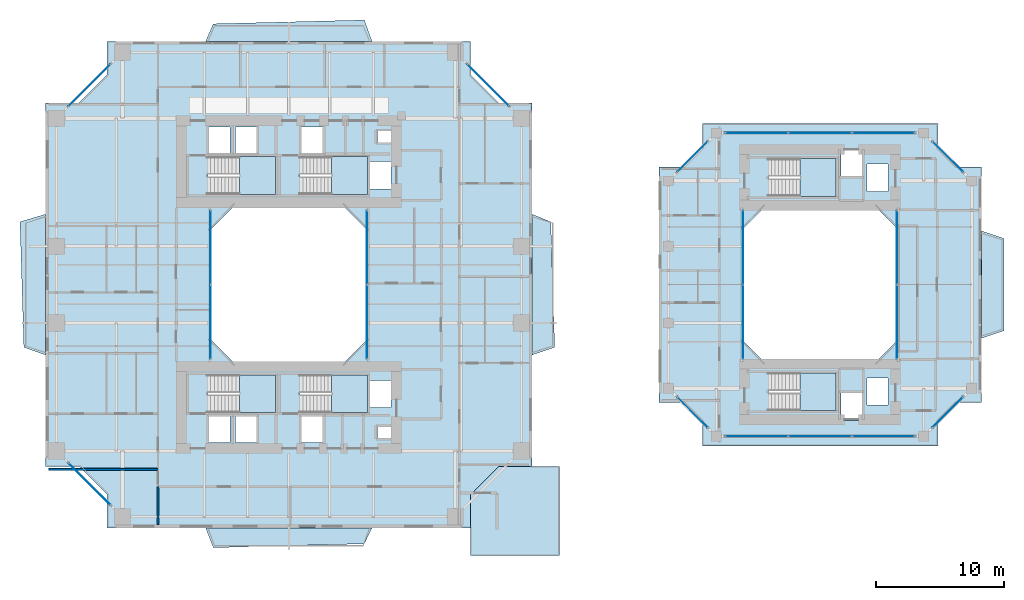
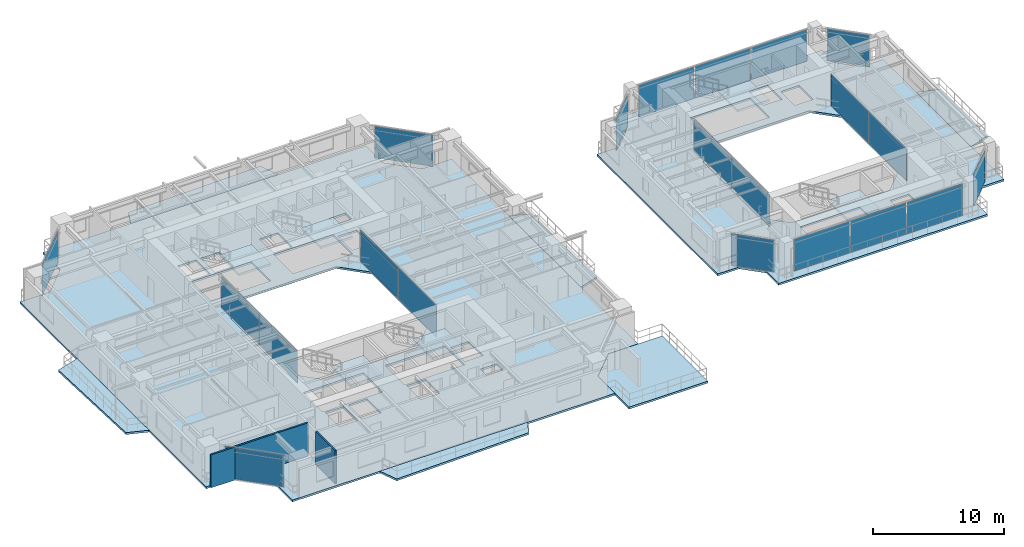
# One storey, part 12 of 23: 21 plates, 14 slabs, 2 walls, 19 elements without a shape of their own.
"""IFC4 building model written with IfcOpenShell, lengths in metres."""

from ifc_helpers import new_model, si_unit, direction, frame, frame_2d, origin, origin_2d, place, context, subcontext, project, spatial, polyline, rectangle, outline, extrude, source, transform, mapped, material, layer, layer_set, type_object, element, aggregate, save


model = new_model("IFC4")

# Units and contexts
model_context = context("Model", 3, precision=1e-05, world=origin(), true_north=direction((0.0, 1.0)))
body_context = subcontext(model_context, "Body", "Model", "MODEL_VIEW")
ifc_project = project(units=[si_unit("LENGTHUNIT", "METRE"), si_unit("AREAUNIT", "SQUARE_METRE"), si_unit("VOLUMEUNIT", "CUBIC_METRE"), si_unit("PLANEANGLEUNIT", "RADIAN"), si_unit("MASSUNIT", "GRAM", prefix="KILO"), si_unit("THERMODYNAMICTEMPERATUREUNIT", "KELVIN"), si_unit("POWERUNIT", "WATT")], contexts=[model_context])

# Site, building, storey
site_placement = place(None, origin())
site = spatial("IfcSite", under=ifc_project, at=site_placement, CompositionType="ELEMENT")
building_placement = place(site_placement, origin())
building = spatial("IfcBuilding", under=site, at=building_placement, Name="Qiaomeng Ring Towers", CompositionType="ELEMENT")
storey_placement = place(building_placement, frame((0.0, 0.0, 73.0)))
storey = spatial("IfcBuildingStorey", under=building, at=storey_placement, Name="L20", CompositionType="ELEMENT", Elevation=73.0)

# Slabs
ifc_material_1 = material(Name="Concrete C40", Category="concrete")
ifc_layer_1 = layer(ifc_material_1, 0.179931640625, Name="Concrete C40")
ifc_layer_set_1 = layer_set([ifc_layer_1], Name="Concrete C40")
slab_type_1 = type_object("IfcSlabType", Name="STR-SL-180", PredefinedType="FLOOR", material=ifc_layer_set_1)
slab_1_placement = place(storey_placement, frame((0.0, 0.0, -0.179931640625)))
element("IfcSlab", 1, at=slab_1_placement, inside=storey, type_object=slab_type_1, Name="L20 Tower 1 Annular Floor Slab", PredefinedType="FLOOR", context=body_context, shape_type="SweptSolid", body=[
    extrude(outline(polyline([(4.800048828125, 4.0), (33.199951171875, 4.0), (33.199951171875, 6.60009765625), (35.39990234375, 8.800048828125), (38.0, 8.800048828125), (38.0, 37.199951171875), (35.39990234375, 37.199951171875), (33.199951171875, 39.39990234375), (33.199951171875, 42.0), (4.800048828125, 42.0), (4.800048828125, 39.39990234375), (2.60009765625, 37.199951171875), (0.0, 37.199951171875), (0.0, 8.800048828125), (2.60009765625, 8.800048828125), (4.800048828125, 6.60009765625), (4.800048828125, 4.0)]), holes=[polyline([(12.780029296875, 10.679931640625), (12.780029296875, 12.820068359375), (14.419921875, 12.820068359375), (14.419921875, 10.679931640625), (12.780029296875, 10.679931640625)]), polyline([(14.830078125, 12.820068359375), (16.469970703125, 12.820068359375), (16.469970703125, 10.679931640625), (14.830078125, 10.679931640625), (14.830078125, 12.820068359375)]), polyline([(12.679931640625, 15.949951171875), (17.949951171875, 15.949951171875), (17.949951171875, 13.010009765625), (12.679931640625, 13.010009765625), (12.679931640625, 15.949951171875)]), polyline([(25.199951171875, 27.199951171875), (25.199951171875, 18.800048828125), (23.199951171875, 16.800048828125), (14.800048828125, 16.800048828125), (12.800048828125, 18.800048828125), (12.800048828125, 27.199951171875), (14.800048828125, 29.199951171875), (23.199951171875, 29.199951171875), (25.199951171875, 27.199951171875)]), polyline([(12.679931640625, 32.989990234375), (17.949951171875, 32.989990234375), (17.949951171875, 30.050048828125), (12.679931640625, 30.050048828125), (12.679931640625, 32.989990234375)]), polyline([(12.780029296875, 35.320068359375), (14.419921875, 35.320068359375), (14.419921875, 33.179931640625), (12.780029296875, 33.179931640625), (12.780029296875, 35.320068359375)]), polyline([(14.830078125, 35.320068359375), (16.469970703125, 35.320068359375), (16.469970703125, 33.179931640625), (14.830078125, 33.179931640625), (14.830078125, 35.320068359375)]), polyline([(19.97998046875, 35.320068359375), (21.6201171875, 35.320068359375), (21.6201171875, 33.179931640625), (19.97998046875, 33.179931640625), (19.97998046875, 35.320068359375)]), polyline([(25.919921875, 11.89990234375), (27.360107421875, 11.89990234375), (27.360107421875, 11.0), (25.919921875, 11.0), (25.919921875, 11.89990234375)]), polyline([(19.97998046875, 12.820068359375), (21.6201171875, 12.820068359375), (21.6201171875, 10.679931640625), (19.97998046875, 10.679931640625), (19.97998046875, 12.820068359375)]), polyline([(25.360107421875, 15.52001953125), (27.0, 15.52001953125), (27.0, 13.3798828125), (25.360107421875, 13.3798828125), (25.360107421875, 15.52001953125)]), polyline([(19.8798828125, 15.949951171875), (25.14990234375, 15.949951171875), (25.14990234375, 13.010009765625), (19.8798828125, 13.010009765625), (19.8798828125, 15.949951171875)]), polyline([(19.8798828125, 32.989990234375), (25.14990234375, 32.989990234375), (25.14990234375, 30.050048828125), (19.8798828125, 30.050048828125), (19.8798828125, 32.989990234375)]), polyline([(25.360107421875, 32.6201171875), (27.0, 32.6201171875), (27.0, 30.47998046875), (25.360107421875, 30.47998046875), (25.360107421875, 32.6201171875)]), polyline([(25.919921875, 35.0), (27.360107421875, 35.0), (27.360107421875, 34.10009765625), (25.919921875, 34.10009765625), (25.919921875, 35.0)])]), origin(), (0.0, 0.0, 1.0), 0.179931640625),
])
slab_2_placement = place(storey_placement, frame((0.0, 0.0, -0.179931640625)))
element("IfcSlab", 2, at=slab_2_placement, inside=storey, type_object=slab_type_1, Name="L20 Companion Tower 2 Annular Floor Slab", PredefinedType="FLOOR", context=body_context, shape_type="SweptSolid", body=[
    extrude(outline(polyline([(51.300048828125, 10.39990234375), (69.699951171875, 10.39990234375), (69.699951171875, 12.300048828125), (71.199951171875, 13.800048828125), (73.10009765625, 13.800048828125), (73.10009765625, 32.199951171875), (71.199951171875, 32.199951171875), (69.699951171875, 33.699951171875), (69.699951171875, 35.60009765625), (51.300048828125, 35.60009765625), (51.300048828125, 33.699951171875), (49.800048828125, 32.199951171875), (47.89990234375, 32.199951171875), (47.89990234375, 13.800048828125), (49.800048828125, 13.800048828125), (51.300048828125, 12.300048828125), (51.300048828125, 10.39990234375)]), holes=[polyline([(62.1298828125, 12.3798828125), (62.1298828125, 14.52001953125), (63.77001953125, 14.52001953125), (63.77001953125, 12.3798828125), (62.1298828125, 12.3798828125)]), polyline([(56.47998046875, 13.159912109375), (56.47998046875, 16.10009765625), (61.75, 16.10009765625), (61.75, 13.159912109375), (56.47998046875, 13.159912109375)]), polyline([(64.179931640625, 13.580078125), (64.179931640625, 15.719970703125), (65.820068359375, 15.719970703125), (65.820068359375, 13.580078125), (64.179931640625, 13.580078125)]), polyline([(64.800048828125, 29.10009765625), (66.60009765625, 27.300048828125), (66.60009765625, 18.699951171875), (64.800048828125, 16.89990234375), (56.199951171875, 16.89990234375), (54.39990234375, 18.699951171875), (54.39990234375, 27.300048828125), (56.199951171875, 29.10009765625), (64.800048828125, 29.10009765625)]), polyline([(64.179931640625, 30.280029296875), (64.179931640625, 32.419921875), (65.820068359375, 32.419921875), (65.820068359375, 30.280029296875), (64.179931640625, 30.280029296875)]), polyline([(56.47998046875, 32.840087890625), (61.75, 32.840087890625), (61.75, 29.89990234375), (56.47998046875, 29.89990234375), (56.47998046875, 32.840087890625)]), polyline([(62.1298828125, 33.6201171875), (63.77001953125, 33.6201171875), (63.77001953125, 31.47998046875), (62.1298828125, 31.47998046875), (62.1298828125, 33.6201171875)])]), origin(), (0.0, 0.0, 1.0), 0.179931640625),
])
ifc_layer_2 = layer(ifc_material_1, 0.179931640625, Name="Concrete C40")
ifc_layer_set_2 = layer_set([ifc_layer_2], Name="Concrete C40")
slab_type_2 = type_object("IfcSlabType", Name="STR-SL-BAL", PredefinedType="FLOOR", material=ifc_layer_set_2)
slab_3_placement = place(storey_placement, frame((0.0, 0.0, -0.179931640625)))
element("IfcSlab", 3, at=slab_3_placement, inside=storey, type_object=slab_type_2, Name="L20 Tower 1 S Faceted Balcony Slab", PredefinedType="FLOOR", context=body_context, shape_type="SweptSolid", body=[
    extrude(outline(polyline([(24.89990234375, 2.75), (13.10009765625, 2.449951171875), (12.5, 4.0), (25.5, 4.0), (24.89990234375, 2.75)])), origin(), (0.0, 0.0, 1.0), 0.179931640625),
])
slab_4_placement = place(storey_placement, frame((0.0, 0.0, -0.179931640625)))
element("IfcSlab", 4, at=slab_4_placement, inside=storey, type_object=slab_type_2, Name="L20 Tower 1 E Faceted Balcony Slab", PredefinedType="FLOOR", context=body_context, shape_type="SweptSolid", body=[
    extrude(outline(polyline([(39.469970703125, 27.89990234375), (39.77001953125, 18.10009765625), (38.0, 17.5), (38.0, 28.5), (39.469970703125, 27.89990234375)])), origin(), (0.0, 0.0, 1.0), 0.179931640625),
])
slab_5_placement = place(storey_placement, frame((0.0, 0.0, -0.179931640625)))
element("IfcSlab", 5, at=slab_5_placement, inside=storey, type_object=slab_type_2, Name="L20 Tower 1 N Faceted Balcony Slab", PredefinedType="FLOOR", context=body_context, shape_type="SweptSolid", body=[
    extrude(outline(polyline([(12.5, 42.0), (13.10009765625, 43.3701171875), (24.89990234375, 43.669921875), (25.5, 42.0), (12.5, 42.0)])), origin(), (0.0, 0.0, 1.0), 0.179931640625),
])
slab_6_placement = place(storey_placement, frame((0.0, 0.0, -0.179931640625)))
element("IfcSlab", 6, at=slab_6_placement, inside=storey, type_object=slab_type_2, Name="L20 Tower 1 W Faceted Balcony Slab", PredefinedType="FLOOR", context=body_context, shape_type="SweptSolid", body=[
    extrude(outline(polyline([(0.0, 17.5), (-1.699951171875, 18.10009765625), (-2.0, 27.89990234375), (0.0, 28.5), (0.0, 17.5)])), origin(), (0.0, 0.0, 1.0), 0.179931640625),
])
slab_7_placement = place(storey_placement, frame((0.0, 0.0, -0.179931640625)))
element("IfcSlab", 7, at=slab_7_placement, inside=storey, type_object=slab_type_2, Name="L20 Companion East Faceted Balcony Slab", PredefinedType="FLOOR", context=body_context, shape_type="SweptSolid", body=[
    extrude(outline(polyline([(74.8701171875, 26.60009765625), (74.8701171875, 19.39990234375), (73.10009765625, 18.800048828125), (73.10009765625, 27.199951171875), (74.8701171875, 26.60009765625)])), origin(), (0.0, 0.0, 1.0), 0.179931640625),
])

# Stair, slab
ifc_material_2 = material(Name="Precast concrete C40", Category="concrete")
stair_type = type_object("IfcStairType", Name="ARC-ST-325", PredefinedType="HALF_TURN_STAIR", material=ifc_material_2)
stair_1_placement = place(storey_placement, origin())
stair_1 = element("IfcStair", 8, at=stair_1_placement, inside=storey, type_object=stair_type, Name="L20 Tower 1 North Stair 1", PredefinedType="HALF_TURN_STAIR")
ifc_layer_3 = layer(ifc_material_1, 0.199951171875, Name="Concrete C40")
ifc_layer_set_3 = layer_set([ifc_layer_3], Name="Concrete C40")
slab_type_3 = type_object("IfcSlabType", Name="STR-SL-LANDING", PredefinedType="LANDING", material=ifc_layer_set_3)
slab_8_placement = place(storey_placement, frame((0.0, 0.0, 1.425048828125)))
slab_8 = element("IfcSlab", 9, at=slab_8_placement, type_object=slab_type_3, Name="ST1 landing 1", PredefinedType="LANDING", context=body_context, shape_type="SweptSolid", body=[
    extrude(outline(polyline([(15.139892578125, 30.050048828125), (17.949951171875, 30.050048828125), (17.949951171875, 32.989990234375), (15.139892578125, 32.989990234375), (15.139892578125, 30.050048828125)])), origin(), (0.0, 0.0, 1.0), 0.199951171875),
])
aggregate(stair_1, [slab_8])

stair_2_placement = place(storey_placement, origin())
stair_2 = element("IfcStair", 10, at=stair_2_placement, inside=storey, type_object=stair_type, Name="L20 Tower 1 North Stair 2", PredefinedType="HALF_TURN_STAIR")
slab_9_placement = place(storey_placement, frame((0.0, 0.0, 1.425048828125)))
slab_9 = element("IfcSlab", 11, at=slab_9_placement, type_object=slab_type_3, Name="ST2 landing 1", PredefinedType="LANDING", context=body_context, shape_type="SweptSolid", body=[
    extrude(outline(polyline([(22.340087890625, 30.050048828125), (25.14990234375, 30.050048828125), (25.14990234375, 32.989990234375), (22.340087890625, 32.989990234375), (22.340087890625, 30.050048828125)])), origin(), (0.0, 0.0, 1.0), 0.199951171875),
])
aggregate(stair_2, [slab_9])

stair_3_placement = place(storey_placement, origin())
stair_3 = element("IfcStair", 12, at=stair_3_placement, inside=storey, type_object=stair_type, Name="L20 Tower 1 South Stair 3", PredefinedType="HALF_TURN_STAIR")
slab_10_placement = place(storey_placement, frame((0.0, 0.0, 1.425048828125)))
slab_10 = element("IfcSlab", 13, at=slab_10_placement, type_object=slab_type_3, Name="ST3 landing 1", PredefinedType="LANDING", context=body_context, shape_type="SweptSolid", body=[
    extrude(outline(polyline([(15.139892578125, 13.010009765625), (17.949951171875, 13.010009765625), (17.949951171875, 15.949951171875), (15.139892578125, 15.949951171875), (15.139892578125, 13.010009765625)])), origin(), (0.0, 0.0, 1.0), 0.199951171875),
])
aggregate(stair_3, [slab_10])

stair_4_placement = place(storey_placement, origin())
stair_4 = element("IfcStair", 14, at=stair_4_placement, inside=storey, type_object=stair_type, Name="L20 Tower 1 South Stair 4", PredefinedType="HALF_TURN_STAIR")
slab_11_placement = place(storey_placement, frame((0.0, 0.0, 1.425048828125)))
slab_11 = element("IfcSlab", 15, at=slab_11_placement, type_object=slab_type_3, Name="ST4 landing 1", PredefinedType="LANDING", context=body_context, shape_type="SweptSolid", body=[
    extrude(outline(polyline([(22.340087890625, 13.010009765625), (25.14990234375, 13.010009765625), (25.14990234375, 15.949951171875), (22.340087890625, 15.949951171875), (22.340087890625, 13.010009765625)])), origin(), (0.0, 0.0, 1.0), 0.199951171875),
])
aggregate(stair_4, [slab_11])

stair_5_placement = place(storey_placement, origin())
stair_5 = element("IfcStair", 16, at=stair_5_placement, inside=storey, type_object=stair_type, Name="L20 Companion North Stair 5", PredefinedType="HALF_TURN_STAIR")
slab_12_placement = place(storey_placement, frame((0.0, 0.0, 1.425048828125)))
slab_12 = element("IfcSlab", 17, at=slab_12_placement, type_object=slab_type_3, Name="ST5 landing 1", PredefinedType="LANDING", context=body_context, shape_type="SweptSolid", body=[
    extrude(outline(polyline([(58.93994140625, 29.89990234375), (61.75, 29.89990234375), (61.75, 32.840087890625), (58.93994140625, 32.840087890625), (58.93994140625, 29.89990234375)])), origin(), (0.0, 0.0, 1.0), 0.199951171875),
])
aggregate(stair_5, [slab_12])

stair_6_placement = place(storey_placement, origin())
stair_6 = element("IfcStair", 18, at=stair_6_placement, inside=storey, type_object=stair_type, Name="L20 Companion South Stair 6", PredefinedType="HALF_TURN_STAIR")
slab_13_placement = place(storey_placement, frame((0.0, 0.0, 1.425048828125)))
slab_13 = element("IfcSlab", 19, at=slab_13_placement, type_object=slab_type_3, Name="ST6 landing 1", PredefinedType="LANDING", context=body_context, shape_type="SweptSolid", body=[
    extrude(outline(polyline([(58.93994140625, 13.159912109375), (61.75, 13.159912109375), (61.75, 16.10009765625), (58.93994140625, 16.10009765625), (58.93994140625, 13.159912109375)])), origin(), (0.0, 0.0, 1.0), 0.199951171875),
])
aggregate(stair_6, [slab_13])

# Slab
ifc_layer_4 = layer(ifc_material_1, 0.179931640625, Name="Concrete C40")
ifc_layer_set_4 = layer_set([ifc_layer_4], Name="Concrete C40")
slab_type_4 = type_object("IfcSlabType", Name="STR-SL-TERR180", PredefinedType="FLOOR", material=ifc_layer_set_4)
slab_14_placement = place(storey_placement, frame((0.0, 0.0, -0.179931640625)))
element("IfcSlab", 20, at=slab_14_placement, inside=storey, type_object=slab_type_4, Name="L20 Spiralling Corner Sky Terrace SE", PredefinedType="FLOOR", context=body_context, shape_type="SweptSolid", body=[
    extrude(outline(polyline([(40.14990234375, 8.800048828125), (40.14990234375, 1.85009765625), (33.199951171875, 1.85009765625), (33.199951171875, 4.0), (33.199951171875, 6.60009765625), (35.39990234375, 8.800048828125), (38.0, 8.800048828125), (40.14990234375, 8.800048828125)])), origin(), (0.0, 0.0, 1.0), 0.179931640625),
])

# Curtain wall, plates
ifc_material_3 = material(Name="Fluorocarbon dark-grey aluminium", Category="aluminium")
ifc_layer_5 = layer(ifc_material_3, 0.139892578125, Name="Fluorocarbon dark-grey aluminium")
ifc_layer_set_5 = layer_set([ifc_layer_5], Name="Fluorocarbon dark-grey aluminium")
curtain_wall_type_1 = type_object("IfcCurtainWallType", Name="ARC-CW-4", PredefinedType="NOTDEFINED", material=ifc_layer_set_5)
curtain_wall_1_placement = place(storey_placement, origin())
curtain_wall_1 = element("IfcCurtainWall", 21, at=curtain_wall_1_placement, inside=storey, type_object=curtain_wall_type_1, Name="L20 Curtain Wall CW4", PredefinedType="NOTDEFINED")
ifc_material_4 = material(Name="Low-E dark-grey laminated double glazing", Category="glass")
ifc_layer_6 = layer(ifc_material_4, 0.028076171875, Name="Low-E dark-grey laminated double glazing")
ifc_layer_set_6 = layer_set([ifc_layer_6], Name="Low-E dark-grey laminated double glazing")
plate_type = type_object("IfcPlateType", Name="ARC-CWP-DARK", PredefinedType="CURTAIN_PANEL", material=ifc_layer_set_6)
shared_shape_1 = source(origin(), body_context, "Body", "SweptSolid", [
    extrude(rectangle(XDim=5.75244140625, YDim=0.028076171875, at=origin_2d()), origin(), (0.0, 0.0, 1.0), 2.93994140625),
])
plate_1_placement = place(storey_placement, frame((12.8798828125, 20.09130859375, 0.06494140625), z_axis=(0.0, 0.0, 1.0), x_axis=(0.0, 1.0, 0.0)))
plate_1 = element("IfcPlate", 22, at=plate_1_placement, type_object=plate_type, Name="CW4 panel 1.1", PredefinedType="CURTAIN_PANEL", context=body_context, shape_type="MappedRepresentation", body=[
    mapped(shared_shape_1, transform((0.0, 0.0, 0.0), x_axis=(1.0, 0.0, 0.0), y_axis=(0.0, 1.0, 0.0), z_axis=(0.0, 0.0, 1.0), scale=1.0)),
])
plate_2_placement = place(storey_placement, frame((12.8798828125, 25.90869140625, 0.06494140625), z_axis=(0.0, 0.0, 1.0), x_axis=(0.0, 1.0, 0.0)))
plate_2 = element("IfcPlate", 23, at=plate_2_placement, type_object=plate_type, Name="CW4 panel 2.1", PredefinedType="CURTAIN_PANEL", context=body_context, shape_type="MappedRepresentation", body=[
    mapped(shared_shape_1, transform((0.0, 0.0, 0.0), x_axis=(1.0, 0.0, 0.0), y_axis=(0.0, 1.0, 0.0), z_axis=(0.0, 0.0, 1.0), scale=1.0)),
])
aggregate(curtain_wall_1, [plate_1, plate_2])

curtain_wall_2_placement = place(storey_placement, origin())
curtain_wall_2 = element("IfcCurtainWall", 24, at=curtain_wall_2_placement, inside=storey, type_object=curtain_wall_type_1, Name="L20 Curtain Wall CW4", PredefinedType="NOTDEFINED")
plate_3_placement = place(storey_placement, frame((25.1201171875, 20.09130859375, 0.06494140625), z_axis=(0.0, 0.0, 1.0), x_axis=(0.0, 1.0, 0.0)))
plate_3 = element("IfcPlate", 25, at=plate_3_placement, type_object=plate_type, Name="CW4 panel 1.1", PredefinedType="CURTAIN_PANEL", context=body_context, shape_type="MappedRepresentation", body=[
    mapped(shared_shape_1, transform((0.0, 0.0, 0.0), x_axis=(1.0, 0.0, 0.0), y_axis=(0.0, 1.0, 0.0), z_axis=(0.0, 0.0, 1.0), scale=1.0)),
])
plate_4_placement = place(storey_placement, frame((25.1201171875, 25.90869140625, 0.06494140625), z_axis=(0.0, 0.0, 1.0), x_axis=(0.0, 1.0, 0.0)))
plate_4 = element("IfcPlate", 26, at=plate_4_placement, type_object=plate_type, Name="CW4 panel 2.1", PredefinedType="CURTAIN_PANEL", context=body_context, shape_type="MappedRepresentation", body=[
    mapped(shared_shape_1, transform((0.0, 0.0, 0.0), x_axis=(1.0, 0.0, 0.0), y_axis=(0.0, 1.0, 0.0), z_axis=(0.0, 0.0, 1.0), scale=1.0)),
])
aggregate(curtain_wall_2, [plate_3, plate_4])

curtain_wall_3_placement = place(storey_placement, origin())
curtain_wall_3 = element("IfcCurtainWall", 27, at=curtain_wall_3_placement, inside=storey, type_object=curtain_wall_type_1, Name="L20 Curtain Wall CW4", PredefinedType="NOTDEFINED")
plate_5_placement = place(storey_placement, frame((54.47998046875, 20.09130859375, 0.06494140625), z_axis=(0.0, 0.0, 1.0), x_axis=(0.0, 1.0, 0.0)))
plate_5 = element("IfcPlate", 28, at=plate_5_placement, type_object=plate_type, Name="CW4 panel 1.1", PredefinedType="CURTAIN_PANEL", context=body_context, shape_type="MappedRepresentation", body=[
    mapped(shared_shape_1, transform((0.0, 0.0, 0.0), x_axis=(1.0, 0.0, 0.0), y_axis=(0.0, 1.0, 0.0), z_axis=(0.0, 0.0, 1.0), scale=1.0)),
])
plate_6_placement = place(storey_placement, frame((54.47998046875, 25.90869140625, 0.06494140625), z_axis=(0.0, 0.0, 1.0), x_axis=(0.0, 1.0, 0.0)))
plate_6 = element("IfcPlate", 29, at=plate_6_placement, type_object=plate_type, Name="CW4 panel 2.1", PredefinedType="CURTAIN_PANEL", context=body_context, shape_type="MappedRepresentation", body=[
    mapped(shared_shape_1, transform((0.0, 0.0, 0.0), x_axis=(1.0, 0.0, 0.0), y_axis=(0.0, 1.0, 0.0), z_axis=(0.0, 0.0, 1.0), scale=1.0)),
])
aggregate(curtain_wall_3, [plate_5, plate_6])

curtain_wall_4_placement = place(storey_placement, origin())
curtain_wall_4 = element("IfcCurtainWall", 30, at=curtain_wall_4_placement, inside=storey, type_object=curtain_wall_type_1, Name="L20 Curtain Wall CW4", PredefinedType="NOTDEFINED")
plate_7_placement = place(storey_placement, frame((66.52001953125, 20.09130859375, 0.06494140625), z_axis=(0.0, 0.0, 1.0), x_axis=(0.0, 1.0, 0.0)))
plate_7 = element("IfcPlate", 31, at=plate_7_placement, type_object=plate_type, Name="CW4 panel 1.1", PredefinedType="CURTAIN_PANEL", context=body_context, shape_type="MappedRepresentation", body=[
    mapped(shared_shape_1, transform((0.0, 0.0, 0.0), x_axis=(1.0, 0.0, 0.0), y_axis=(0.0, 1.0, 0.0), z_axis=(0.0, 0.0, 1.0), scale=1.0)),
])
plate_8_placement = place(storey_placement, frame((66.52001953125, 25.90869140625, 0.06494140625), z_axis=(0.0, 0.0, 1.0), x_axis=(0.0, 1.0, 0.0)))
plate_8 = element("IfcPlate", 32, at=plate_8_placement, type_object=plate_type, Name="CW4 panel 2.1", PredefinedType="CURTAIN_PANEL", context=body_context, shape_type="MappedRepresentation", body=[
    mapped(shared_shape_1, transform((0.0, 0.0, 0.0), x_axis=(1.0, 0.0, 0.0), y_axis=(0.0, 1.0, 0.0), z_axis=(0.0, 0.0, 1.0), scale=1.0)),
])
aggregate(curtain_wall_4, [plate_7, plate_8])

# Curtain wall, plate
ifc_layer_7 = layer(ifc_material_3, 0.159912109375, Name="Fluorocarbon dark-grey aluminium")
ifc_layer_set_7 = layer_set([ifc_layer_7], Name="Fluorocarbon dark-grey aluminium")
curtain_wall_type_2 = type_object("IfcCurtainWallType", Name="ARC-CW-2", PredefinedType="NOTDEFINED", material=ifc_layer_set_7)
curtain_wall_5_placement = place(storey_placement, origin())
curtain_wall_5 = element("IfcCurtainWall", 33, at=curtain_wall_5_placement, inside=storey, type_object=curtain_wall_type_2, Name="L20 Curtain Wall CW2", PredefinedType="NOTDEFINED")
shared_shape_2 = source(origin(), body_context, "Body", "SweptSolid", [
    extrude(rectangle(XDim=4.6259765625, YDim=0.028076171875, at=origin_2d()), origin(), (0.0, 0.0, 1.0), 2.93994140625),
])
plate_9_placement = place(storey_placement, frame((34.574951171875, 38.574951171875, 0.06494140625), z_axis=(0.0, 0.0, 1.0), x_axis=(-0.707106781187, 0.707106781187, 0.0)))
plate_9 = element("IfcPlate", 34, at=plate_9_placement, type_object=plate_type, Name="CW2 panel 1.1", PredefinedType="CURTAIN_PANEL", context=body_context, shape_type="MappedRepresentation", body=[
    mapped(shared_shape_2, transform((0.0, 0.0, 0.0), x_axis=(1.0, 0.0, 0.0), y_axis=(0.0, 1.0, 0.0), z_axis=(0.0, 0.0, 1.0), scale=1.0)),
])
aggregate(curtain_wall_5, [plate_9])

curtain_wall_6_placement = place(storey_placement, origin())
curtain_wall_6 = element("IfcCurtainWall", 35, at=curtain_wall_6_placement, inside=storey, type_object=curtain_wall_type_2, Name="L20 Curtain Wall CW2", PredefinedType="NOTDEFINED")
plate_10_placement = place(storey_placement, frame((3.425048828125, 38.574951171875, 0.06494140625), z_axis=(0.0, 0.0, 1.0), x_axis=(-0.707106781187, -0.707106781187, 0.0)))
plate_10 = element("IfcPlate", 36, at=plate_10_placement, type_object=plate_type, Name="CW2 panel 1.1", PredefinedType="CURTAIN_PANEL", context=body_context, shape_type="MappedRepresentation", body=[
    mapped(shared_shape_2, transform((0.0, 0.0, 0.0), x_axis=(1.0, 0.0, 0.0), y_axis=(0.0, 1.0, 0.0), z_axis=(0.0, 0.0, 1.0), scale=1.0)),
])
aggregate(curtain_wall_6, [plate_10])

curtain_wall_7_placement = place(storey_placement, origin())
curtain_wall_7 = element("IfcCurtainWall", 37, at=curtain_wall_7_placement, inside=storey, type_object=curtain_wall_type_2, Name="L20 Curtain Wall CW2", PredefinedType="NOTDEFINED")
plate_11_placement = place(storey_placement, frame((3.425048828125, 7.425048828125, 0.06494140625), z_axis=(0.0, 0.0, 1.0), x_axis=(0.707106781187, -0.707106781187, 0.0)))
plate_11 = element("IfcPlate", 38, at=plate_11_placement, type_object=plate_type, Name="CW2 panel 1.1", PredefinedType="CURTAIN_PANEL", context=body_context, shape_type="MappedRepresentation", body=[
    mapped(shared_shape_2, transform((0.0, 0.0, 0.0), x_axis=(1.0, 0.0, 0.0), y_axis=(0.0, 1.0, 0.0), z_axis=(0.0, 0.0, 1.0), scale=1.0)),
])
aggregate(curtain_wall_7, [plate_11])

# Curtain wall, plates
ifc_layer_8 = layer(ifc_material_3, 0.14990234375, Name="Fluorocarbon dark-grey aluminium")
ifc_layer_set_8 = layer_set([ifc_layer_8], Name="Fluorocarbon dark-grey aluminium")
curtain_wall_type_3 = type_object("IfcCurtainWallType", Name="ARC-CW-5", PredefinedType="NOTDEFINED", material=ifc_layer_set_8)
curtain_wall_8_placement = place(storey_placement, origin())
curtain_wall_8 = element("IfcCurtainWall", 39, at=curtain_wall_8_placement, inside=storey, type_object=curtain_wall_type_3, Name="L20 Curtain Wall CW5", PredefinedType="NOTDEFINED")
shared_shape_3 = source(origin(), body_context, "Body", "SweptSolid", [
    extrude(rectangle(XDim=4.868408203125, YDim=0.028076171875, at=origin_2d()), origin(), (0.0, 0.0, 1.0), 2.93994140625),
])
plate_12_placement = place(storey_placement, frame((55.544189453125, 34.85009765625, 0.06494140625), z_axis=(0.0, 0.0, 1.0), x_axis=(1.0, 0.0, 0.0)))
plate_12 = element("IfcPlate", 40, at=plate_12_placement, type_object=plate_type, Name="CW5 panel 1.1", PredefinedType="CURTAIN_PANEL", context=body_context, shape_type="MappedRepresentation", body=[
    mapped(shared_shape_3, transform((0.0, 0.0, 0.0), x_axis=(1.0, 0.0, 0.0), y_axis=(0.0, 1.0, 0.0), z_axis=(0.0, 0.0, 1.0), scale=1.0)),
])
plate_13_placement = place(storey_placement, frame((65.455810546875, 34.85009765625, 0.06494140625), z_axis=(0.0, 0.0, 1.0), x_axis=(1.0, 0.0, 0.0)))
plate_13 = element("IfcPlate", 41, at=plate_13_placement, type_object=plate_type, Name="CW5 panel 3.1", PredefinedType="CURTAIN_PANEL", context=body_context, shape_type="MappedRepresentation", body=[
    mapped(shared_shape_3, transform((0.0, 0.0, 0.0), x_axis=(1.0, 0.0, 0.0), y_axis=(0.0, 1.0, 0.0), z_axis=(0.0, 0.0, 1.0), scale=1.0)),
])

curtain_wall_9_placement = place(storey_placement, origin())
curtain_wall_9 = element("IfcCurtainWall", 42, at=curtain_wall_9_placement, inside=storey, type_object=curtain_wall_type_3, Name="L20 Curtain Wall CW5", PredefinedType="NOTDEFINED")
plate_14_placement = place(storey_placement, frame((55.544189453125, 11.14990234375, 0.06494140625), z_axis=(0.0, 0.0, 1.0), x_axis=(1.0, 0.0, 0.0)))
plate_14 = element("IfcPlate", 43, at=plate_14_placement, type_object=plate_type, Name="CW5 panel 1.1", PredefinedType="CURTAIN_PANEL", context=body_context, shape_type="MappedRepresentation", body=[
    mapped(shared_shape_3, transform((0.0, 0.0, 0.0), x_axis=(1.0, 0.0, 0.0), y_axis=(0.0, 1.0, 0.0), z_axis=(0.0, 0.0, 1.0), scale=1.0)),
])
plate_15_placement = place(storey_placement, frame((65.455810546875, 11.14990234375, 0.06494140625), z_axis=(0.0, 0.0, 1.0), x_axis=(1.0, 0.0, 0.0)))
plate_15 = element("IfcPlate", 44, at=plate_15_placement, type_object=plate_type, Name="CW5 panel 3.1", PredefinedType="CURTAIN_PANEL", context=body_context, shape_type="MappedRepresentation", body=[
    mapped(shared_shape_3, transform((0.0, 0.0, 0.0), x_axis=(1.0, 0.0, 0.0), y_axis=(0.0, 1.0, 0.0), z_axis=(0.0, 0.0, 1.0), scale=1.0)),
])

# Plate
shared_shape_4 = source(origin(), body_context, "Body", "SweptSolid", [
    extrude(rectangle(XDim=4.9033203125, YDim=0.028076171875, at=origin_2d()), origin(), (0.0, 0.0, 1.0), 2.93994140625),
])
plate_16_placement = place(storey_placement, frame((60.5, 34.85009765625, 0.06494140625), z_axis=(0.0, 0.0, 1.0), x_axis=(1.0, 0.0, 0.0)))
plate_16 = element("IfcPlate", 45, at=plate_16_placement, type_object=plate_type, Name="CW5 panel 2.1", PredefinedType="CURTAIN_PANEL", context=body_context, shape_type="MappedRepresentation", body=[
    mapped(shared_shape_4, transform((0.0, 0.0, 0.0), x_axis=(1.0, 0.0, 0.0), y_axis=(0.0, 1.0, 0.0), z_axis=(0.0, 0.0, 1.0), scale=1.0)),
])

aggregate(curtain_wall_8, [plate_12, plate_16, plate_13])

plate_17_placement = place(storey_placement, frame((60.5, 11.14990234375, 0.06494140625), z_axis=(0.0, 0.0, 1.0), x_axis=(1.0, 0.0, 0.0)))
plate_17 = element("IfcPlate", 46, at=plate_17_placement, type_object=plate_type, Name="CW5 panel 2.1", PredefinedType="CURTAIN_PANEL", context=body_context, shape_type="MappedRepresentation", body=[
    mapped(shared_shape_4, transform((0.0, 0.0, 0.0), x_axis=(1.0, 0.0, 0.0), y_axis=(0.0, 1.0, 0.0), z_axis=(0.0, 0.0, 1.0), scale=1.0)),
])

aggregate(curtain_wall_9, [plate_14, plate_17, plate_15])

# Curtain wall, plate
curtain_wall_10_placement = place(storey_placement, origin())
curtain_wall_10 = element("IfcCurtainWall", 47, at=curtain_wall_10_placement, inside=storey, type_object=curtain_wall_type_3, Name="L20 Curtain Wall CW5", PredefinedType="NOTDEFINED")
shared_shape_5 = source(origin(), body_context, "Body", "SweptSolid", [
    extrude(rectangle(XDim=3.35302734375, YDim=0.028076171875, at=origin_2d()), origin(), (0.0, 0.0, 1.0), 2.93994140625),
])
plate_18_placement = place(storey_placement, frame((70.47509765625, 13.02490234375, 0.06494140625), z_axis=(0.0, 0.0, 1.0), x_axis=(0.707106781187, 0.707106781187, 0.0)))
plate_18 = element("IfcPlate", 48, at=plate_18_placement, type_object=plate_type, Name="CW5 panel 1.1", PredefinedType="CURTAIN_PANEL", context=body_context, shape_type="MappedRepresentation", body=[
    mapped(shared_shape_5, transform((0.0, 0.0, 0.0), x_axis=(1.0, 0.0, 0.0), y_axis=(0.0, 1.0, 0.0), z_axis=(0.0, 0.0, 1.0), scale=1.0)),
])
aggregate(curtain_wall_10, [plate_18])

curtain_wall_11_placement = place(storey_placement, origin())
curtain_wall_11 = element("IfcCurtainWall", 49, at=curtain_wall_11_placement, inside=storey, type_object=curtain_wall_type_3, Name="L20 Curtain Wall CW5", PredefinedType="NOTDEFINED")
plate_19_placement = place(storey_placement, frame((70.47509765625, 32.97509765625, 0.06494140625), z_axis=(0.0, 0.0, 1.0), x_axis=(-0.707106781187, 0.707106781187, 0.0)))
plate_19 = element("IfcPlate", 50, at=plate_19_placement, type_object=plate_type, Name="CW5 panel 1.1", PredefinedType="CURTAIN_PANEL", context=body_context, shape_type="MappedRepresentation", body=[
    mapped(shared_shape_5, transform((0.0, 0.0, 0.0), x_axis=(1.0, 0.0, 0.0), y_axis=(0.0, 1.0, 0.0), z_axis=(0.0, 0.0, 1.0), scale=1.0)),
])
aggregate(curtain_wall_11, [plate_19])

curtain_wall_12_placement = place(storey_placement, origin())
curtain_wall_12 = element("IfcCurtainWall", 51, at=curtain_wall_12_placement, inside=storey, type_object=curtain_wall_type_3, Name="L20 Curtain Wall CW5", PredefinedType="NOTDEFINED")
plate_20_placement = place(storey_placement, frame((50.52490234375, 32.97509765625, 0.06494140625), z_axis=(0.0, 0.0, 1.0), x_axis=(-0.707106781187, -0.707106781187, 0.0)))
plate_20 = element("IfcPlate", 52, at=plate_20_placement, type_object=plate_type, Name="CW5 panel 1.1", PredefinedType="CURTAIN_PANEL", context=body_context, shape_type="MappedRepresentation", body=[
    mapped(shared_shape_5, transform((0.0, 0.0, 0.0), x_axis=(1.0, 0.0, 0.0), y_axis=(0.0, 1.0, 0.0), z_axis=(0.0, 0.0, 1.0), scale=1.0)),
])
aggregate(curtain_wall_12, [plate_20])

curtain_wall_13_placement = place(storey_placement, origin())
curtain_wall_13 = element("IfcCurtainWall", 53, at=curtain_wall_13_placement, inside=storey, type_object=curtain_wall_type_3, Name="L20 Curtain Wall CW5", PredefinedType="NOTDEFINED")
plate_21_placement = place(storey_placement, frame((50.52490234375, 13.02490234375, 0.06494140625), z_axis=(0.0, 0.0, 1.0), x_axis=(0.707106781187, -0.707106781187, 0.0)))
plate_21 = element("IfcPlate", 54, at=plate_21_placement, type_object=plate_type, Name="CW5 panel 1.1", PredefinedType="CURTAIN_PANEL", context=body_context, shape_type="MappedRepresentation", body=[
    mapped(shared_shape_5, transform((0.0, 0.0, 0.0), x_axis=(1.0, 0.0, 0.0), y_axis=(0.0, 1.0, 0.0), z_axis=(0.0, 0.0, 1.0), scale=1.0)),
])
aggregate(curtain_wall_13, [plate_21])

# Walls
ifc_material_5 = material(Name="Gypsum fireboard steel-stud partition", Category="steel")
ifc_layer_9 = layer(ifc_material_5, 0.14990234375, Name="Gypsum fireboard steel-stud partition")
ifc_layer_set_9 = layer_set([ifc_layer_9], Name="Gypsum fireboard steel-stud partition")
wall_type = type_object("IfcWallType", Name="ARC-WL-PW3", PredefinedType="PARTITIONING", material=ifc_layer_set_9)
wall_1_placement = place(storey_placement, frame((8.780029296875, 4.25, 0.0), z_axis=(0.0, 0.0, 1.0), x_axis=(0.0, 1.0, 0.0)))
element("IfcWall", 55, at=wall_1_placement, inside=storey, type_object=wall_type, Name="L20 Interior Wall PW3", PredefinedType="PARTITIONING", context=body_context, shape_type="SweptSolid", body=[
    extrude(rectangle(XDim=2.9599609375, YDim=0.14990234375, at=frame_2d((1.47998046875, 0.0))), origin(), (0.0, 0.0, 1.0), 3.070068359375),
])
wall_2_placement = place(storey_placement, frame((0.25, 8.570068359375, 0.0), z_axis=(0.0, 0.0, 1.0), x_axis=(1.0, 0.0, 0.0)))
element("IfcWall", 56, at=wall_2_placement, inside=storey, type_object=wall_type, Name="L20 Interior Wall PW3", PredefinedType="PARTITIONING", context=body_context, shape_type="SweptSolid", body=[
    extrude(rectangle(XDim=8.530029296875, YDim=0.14990234375, at=frame_2d((4.26513671875, 0.0))), origin(), (0.0, 0.0, 1.0), 3.070068359375),
])

save(model, "model.ifc")
